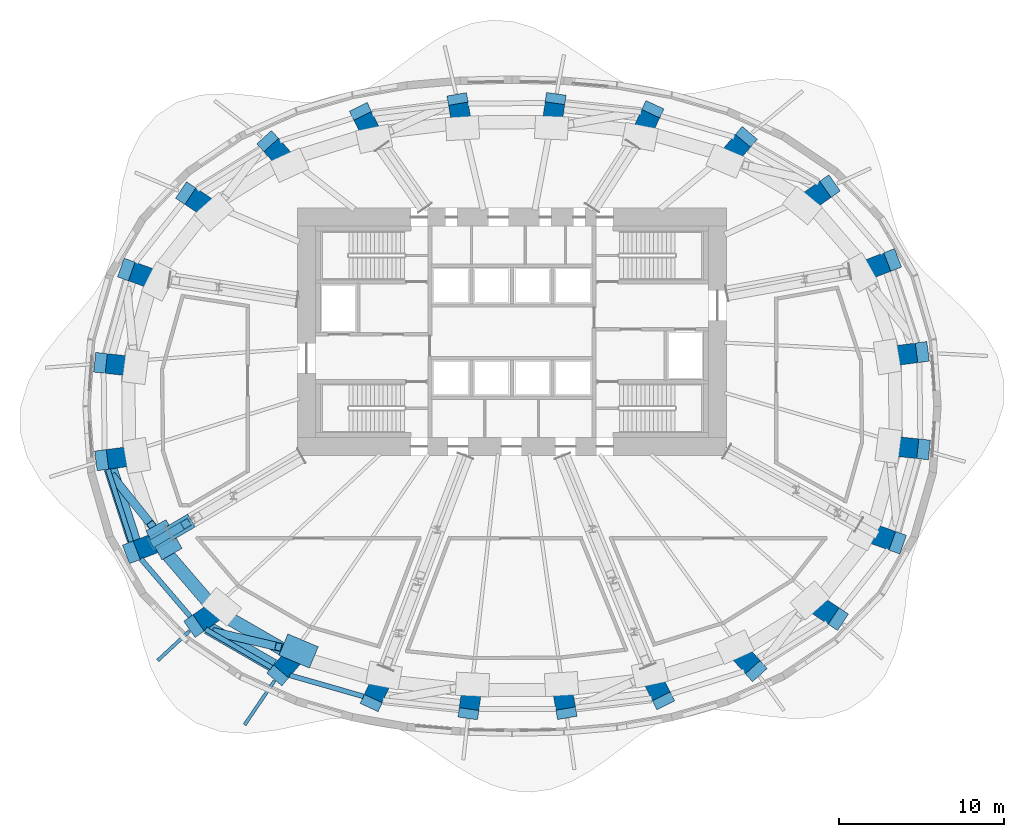
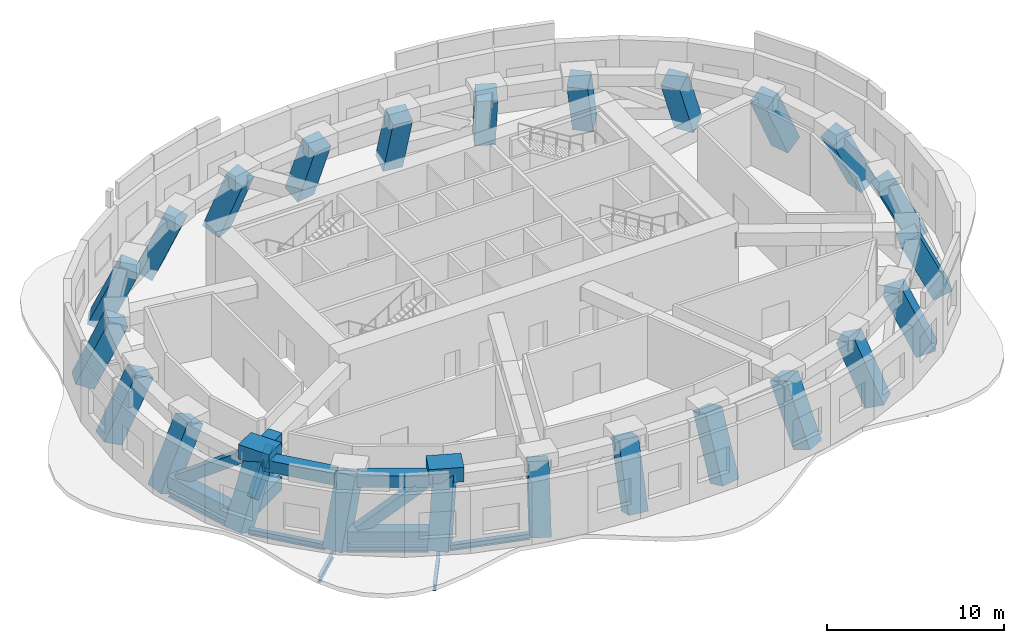
# One storey, part 1 of 11: 24 columns, 9 members, 8 beams.
"""IFC4 building model written with IfcOpenShell, lengths in metres."""

from ifc_helpers import new_model, si_unit, direction, frame, origin, origin_2d, place, context, subcontext, project, spatial, rectangle, hollow_rectangle, i_section, extrude, material, material_profile, profile_set, type_object, element, save


model = new_model("IFC4")

# Units and contexts
model_context = context("Model", 3, precision=1e-05, world=origin(), true_north=direction((0.0, 1.0)))
body_context = subcontext(model_context, "Body", "Model", "MODEL_VIEW")
ifc_project = project(units=[si_unit("LENGTHUNIT", "METRE"), si_unit("AREAUNIT", "SQUARE_METRE"), si_unit("VOLUMEUNIT", "CUBIC_METRE"), si_unit("PLANEANGLEUNIT", "RADIAN"), si_unit("MASSUNIT", "GRAM", prefix="KILO")], contexts=[model_context])

# Site, building, storey
site_placement = place(None, origin())
site = spatial("IfcSite", under=ifc_project, at=site_placement, CompositionType="ELEMENT")
building_placement = place(site_placement, origin())
building = spatial("IfcBuilding", under=site, at=building_placement, Name="Rubra Terraces Tower", CompositionType="ELEMENT")
storey_placement = place(building_placement, frame((0.0, 0.0, 121.199951171875)))
storey = spatial("IfcBuildingStorey", under=building, at=storey_placement, Name="L29", CompositionType="ELEMENT", Elevation=121.199951171875)

# Columns
ifc_material_1 = material(Name="Concrete C60", Category="concrete")
ifc_material_profile_1 = material_profile(ifc_material_1, rectangle(XDim=1.199951171875, YDim=1.199951171875, at=origin_2d()), Name="RC 1200x1200")
ifc_profile_set_1 = profile_set([ifc_material_profile_1], Name="Concrete C60")
column_type = type_object("IfcColumnType", Name="RING COLUMN RC 1200x1200 C60", PredefinedType="COLUMN", material=ifc_profile_set_1)
column_1_placement = place(storey_placement, frame((24.6689453125, 3.248046875, -0.535888671875), z_axis=(-0.428524757066, -0.056498658987, 0.90176185), x_axis=(0.130713362485, -0.991420201967, 0.0)))
element("IfcColumn", 1, at=column_1_placement, inside=storey, type_object=column_type, Name="column-L29-ring-01", PredefinedType="COLUMN", context=body_context, shape_type="SweptSolid", body=[
    extrude(rectangle(XDim=1.199951171875, YDim=1.199951171875, at=origin_2d()), origin(), (0.0, 0.0, 1.0), 4.515625),
])
column_2_placement = place(storey_placement, frame((22.87890625, 8.787109375, -0.537841796875), z_axis=(-0.398723010129, -0.154583676523, 0.903949029617), x_axis=(0.361480683506, -0.932379598367, 0.0)))
element("IfcColumn", 2, at=column_2_placement, inside=storey, type_object=column_type, Name="column-L29-ring-02", PredefinedType="COLUMN", context=body_context, shape_type="SweptSolid", body=[
    extrude(rectangle(XDim=1.199951171875, YDim=1.199951171875, at=origin_2d()), origin(), (0.0, 0.0, 1.0), 4.509033203125),
])
column_3_placement = place(storey_placement, frame((19.092041015625, 13.208984375, -0.549072265625), z_axis=(-0.335632832072, -0.235491775004, 0.912082356995), x_axis=(0.574360318683, -0.818602604639, 0.0)))
element("IfcColumn", 3, at=column_3_placement, inside=storey, type_object=column_type, Name="column-L29-ring-03", PredefinedType="COLUMN", context=body_context, shape_type="SweptSolid", body=[
    extrude(rectangle(XDim=1.199951171875, YDim=1.199951171875, at=origin_2d()), origin(), (0.0, 0.0, 1.0), 4.4931640625),
])
column_4_placement = place(storey_placement, frame((14.0419921875, 16.135986328125, -0.56494140625), z_axis=(-0.249322923068, -0.291577344451, 0.923482935541), x_axis=(0.760029513811, -0.649888558243, 0.0)))
element("IfcColumn", 4, at=column_4_placement, inside=storey, type_object=column_type, Name="column-L29-ring-04", PredefinedType="COLUMN", context=body_context, shape_type="SweptSolid", body=[
    extrude(rectangle(XDim=1.199951171875, YDim=1.199951171875, at=origin_2d()), origin(), (0.0, 0.0, 1.0), 4.47216796875),
])
column_5_placement = place(storey_placement, frame((8.422119140625, 17.7490234375, -0.5810546875), z_axis=(-0.15062528585, -0.323660808846, 0.934106901848), x_axis=(0.906629641713, -0.421927354845, 0.0)))
element("IfcColumn", 5, at=column_5_placement, inside=storey, type_object=column_type, Name="column-L29-ring-05", PredefinedType="COLUMN", context=body_context, shape_type="SweptSolid", body=[
    extrude(rectangle(XDim=1.199951171875, YDim=1.199951171875, at=origin_2d()), origin(), (0.0, 0.0, 1.0), 4.455810546875),
])
column_6_placement = place(storey_placement, frame((2.60205078125, 18.35791015625, -0.591064453125), z_axis=(-0.047218787355, -0.33640640712, 0.940532357428), x_axis=(0.990292415941, -0.138999751544, 0.0)))
element("IfcColumn", 6, at=column_6_placement, inside=storey, type_object=column_type, Name="column-L29-ring-06", PredefinedType="COLUMN", context=body_context, shape_type="SweptSolid", body=[
    extrude(rectangle(XDim=1.199951171875, YDim=1.199951171875, at=origin_2d()), origin(), (0.0, 0.0, 1.0), 4.446533203125),
])
column_7_placement = place(storey_placement, frame((-3.25390625, 18.330078125, -0.591064453125), z_axis=(0.05729856294, -0.335888127577, 0.940157455131), x_axis=(0.985759878424, 0.168159038084, 0.0)))
element("IfcColumn", 7, at=column_7_placement, inside=storey, type_object=column_type, Name="column-L29-ring-07", PredefinedType="COLUMN", context=body_context, shape_type="SweptSolid", body=[
    extrude(rectangle(XDim=1.199951171875, YDim=1.199951171875, at=origin_2d()), origin(), (0.0, 0.0, 1.0), 4.4482421875),
])
column_8_placement = place(storey_placement, frame((-9.06298828125, 17.625, -0.578857421875), z_axis=(0.160699820662, -0.321618802348, 0.933132848857), x_axis=(0.89454907246, 0.446969749493, 0.0)))
element("IfcColumn", 8, at=column_8_placement, inside=storey, type_object=column_type, Name="column-L29-ring-08", PredefinedType="COLUMN", context=body_context, shape_type="SweptSolid", body=[
    extrude(rectangle(XDim=1.199951171875, YDim=1.199951171875, at=origin_2d()), origin(), (0.0, 0.0, 1.0), 4.455810546875),
])
column_9_placement = place(storey_placement, frame((-14.64306640625, 15.881103515625, -0.56298828125), z_axis=(0.258415459479, -0.28728595115, 0.922327616725), x_axis=(0.743476713513, 0.66876182342, 0.0)))
element("IfcColumn", 9, at=column_9_placement, inside=storey, type_object=column_type, Name="column-L29-ring-09", PredefinedType="COLUMN", context=body_context, shape_type="SweptSolid", body=[
    extrude(rectangle(XDim=1.199951171875, YDim=1.199951171875, at=origin_2d()), origin(), (0.0, 0.0, 1.0), 4.473388671875),
])
column_10_placement = place(storey_placement, frame((-19.593017578125, 12.7900390625, -0.5478515625), z_axis=(0.343008470869, -0.228473185077, 0.911123039229), x_axis=(0.554365652735, 0.832273226211, 0.0)))
element("IfcColumn", 10, at=column_10_placement, inside=storey, type_object=column_type, Name="column-L29-ring-10", PredefinedType="COLUMN", context=body_context, shape_type="SweptSolid", body=[
    extrude(rectangle(XDim=1.199951171875, YDim=1.199951171875, at=origin_2d()), origin(), (0.0, 0.0, 1.0), 4.49560546875),
])
column_11_placement = place(storey_placement, frame((-23.18505859375, 8.2099609375, -0.537841796875), z_axis=(0.403040867298, -0.145423769361, 0.903554086147), x_axis=(0.339399243932, 0.940642415171, 0.0)))
element("IfcColumn", 11, at=column_11_placement, inside=storey, type_object=column_type, Name="column-L29-ring-11", PredefinedType="COLUMN", context=body_context, shape_type="SweptSolid", body=[
    extrude(rectangle(XDim=1.199951171875, YDim=1.199951171875, at=origin_2d()), origin(), (0.0, 0.0, 1.0), 4.510986328125),
])
column_12_placement = place(storey_placement, frame((-24.742919921875, 2.59912109375, -0.535888671875), z_axis=(0.429803287956, -0.046548507035, 0.901721891802), x_axis=(0.107672267565, 0.994186442674, 0.0)))
element("IfcColumn", 12, at=column_12_placement, inside=storey, type_object=column_type, Name="column-L29-ring-12", PredefinedType="COLUMN", context=body_context, shape_type="SweptSolid", body=[
    extrude(rectangle(XDim=1.199951171875, YDim=1.199951171875, at=origin_2d()), origin(), (0.0, 0.0, 1.0), 4.515869140625),
])
column_13_placement = place(storey_placement, frame((-24.6689453125, -3.248046875, -0.535888671875), z_axis=(0.428524757066, 0.056498658987, 0.90176185), x_axis=(-0.130713362485, 0.991420201967, 0.0)))
element("IfcColumn", 13, at=column_13_placement, inside=storey, type_object=column_type, Name="column-L29-ring-13", PredefinedType="COLUMN", context=body_context, shape_type="SweptSolid", body=[
    extrude(rectangle(XDim=1.199951171875, YDim=1.199951171875, at=origin_2d()), origin(), (0.0, 0.0, 1.0), 4.515625),
])
column_14_placement = place(storey_placement, frame((-22.87890625, -8.787109375, -0.537841796875), z_axis=(0.398723010129, 0.154583676523, 0.903949029617), x_axis=(-0.361480683506, 0.932379598367, 0.0)))
element("IfcColumn", 14, at=column_14_placement, inside=storey, type_object=column_type, Name="column-L29-ring-14", PredefinedType="COLUMN", context=body_context, shape_type="SweptSolid", body=[
    extrude(rectangle(XDim=1.199951171875, YDim=1.199951171875, at=origin_2d()), origin(), (0.0, 0.0, 1.0), 4.509033203125),
])
column_15_placement = place(storey_placement, frame((-19.092041015625, -13.208984375, -0.549072265625), z_axis=(0.335632832072, 0.235491775004, 0.912082356995), x_axis=(-0.574360318683, 0.818602604639, 0.0)))
element("IfcColumn", 15, at=column_15_placement, inside=storey, type_object=column_type, Name="column-L29-ring-15", PredefinedType="COLUMN", context=body_context, shape_type="SweptSolid", body=[
    extrude(rectangle(XDim=1.199951171875, YDim=1.199951171875, at=origin_2d()), origin(), (0.0, 0.0, 1.0), 4.4931640625),
])
column_16_placement = place(storey_placement, frame((-14.0419921875, -16.135986328125, -0.56494140625), z_axis=(0.249322923068, 0.291577344451, 0.923482935541), x_axis=(-0.760029513811, 0.649888558243, 0.0)))
element("IfcColumn", 16, at=column_16_placement, inside=storey, type_object=column_type, Name="column-L29-ring-16", PredefinedType="COLUMN", context=body_context, shape_type="SweptSolid", body=[
    extrude(rectangle(XDim=1.199951171875, YDim=1.199951171875, at=origin_2d()), origin(), (0.0, 0.0, 1.0), 4.47216796875),
])
column_17_placement = place(storey_placement, frame((-8.422119140625, -17.7490234375, -0.5810546875), z_axis=(0.15062528585, 0.323660808846, 0.934106901848), x_axis=(-0.906629641713, 0.421927354845, 0.0)))
element("IfcColumn", 17, at=column_17_placement, inside=storey, type_object=column_type, Name="column-L29-ring-17", PredefinedType="COLUMN", context=body_context, shape_type="SweptSolid", body=[
    extrude(rectangle(XDim=1.199951171875, YDim=1.199951171875, at=origin_2d()), origin(), (0.0, 0.0, 1.0), 4.455810546875),
])
column_18_placement = place(storey_placement, frame((-2.60205078125, -18.35791015625, -0.591064453125), z_axis=(0.047218787355, 0.33640640712, 0.940532357428), x_axis=(-0.990292415941, 0.138999751544, 0.0)))
element("IfcColumn", 18, at=column_18_placement, inside=storey, type_object=column_type, Name="column-L29-ring-18", PredefinedType="COLUMN", context=body_context, shape_type="SweptSolid", body=[
    extrude(rectangle(XDim=1.199951171875, YDim=1.199951171875, at=origin_2d()), origin(), (0.0, 0.0, 1.0), 4.446533203125),
])
column_19_placement = place(storey_placement, frame((3.25390625, -18.330078125, -0.591064453125), z_axis=(-0.05729856294, 0.335888127577, 0.940157455131), x_axis=(-0.985759878424, -0.168159038084, 0.0)))
element("IfcColumn", 19, at=column_19_placement, inside=storey, type_object=column_type, Name="column-L29-ring-19", PredefinedType="COLUMN", context=body_context, shape_type="SweptSolid", body=[
    extrude(rectangle(XDim=1.199951171875, YDim=1.199951171875, at=origin_2d()), origin(), (0.0, 0.0, 1.0), 4.4482421875),
])
column_20_placement = place(storey_placement, frame((9.06298828125, -17.625, -0.578857421875), z_axis=(-0.160699820662, 0.321618802348, 0.933132848857), x_axis=(-0.89454907246, -0.446969749493, 0.0)))
element("IfcColumn", 20, at=column_20_placement, inside=storey, type_object=column_type, Name="column-L29-ring-20", PredefinedType="COLUMN", context=body_context, shape_type="SweptSolid", body=[
    extrude(rectangle(XDim=1.199951171875, YDim=1.199951171875, at=origin_2d()), origin(), (0.0, 0.0, 1.0), 4.455810546875),
])
column_21_placement = place(storey_placement, frame((14.64306640625, -15.881103515625, -0.56298828125), z_axis=(-0.258415459479, 0.28728595115, 0.922327616725), x_axis=(-0.743476713513, -0.66876182342, 0.0)))
element("IfcColumn", 21, at=column_21_placement, inside=storey, type_object=column_type, Name="column-L29-ring-21", PredefinedType="COLUMN", context=body_context, shape_type="SweptSolid", body=[
    extrude(rectangle(XDim=1.199951171875, YDim=1.199951171875, at=origin_2d()), origin(), (0.0, 0.0, 1.0), 4.473388671875),
])
column_22_placement = place(storey_placement, frame((19.593017578125, -12.7900390625, -0.5478515625), z_axis=(-0.343008470869, 0.228473185077, 0.911123039229), x_axis=(-0.554365652735, -0.832273226211, 0.0)))
element("IfcColumn", 22, at=column_22_placement, inside=storey, type_object=column_type, Name="column-L29-ring-22", PredefinedType="COLUMN", context=body_context, shape_type="SweptSolid", body=[
    extrude(rectangle(XDim=1.199951171875, YDim=1.199951171875, at=origin_2d()), origin(), (0.0, 0.0, 1.0), 4.49560546875),
])
column_23_placement = place(storey_placement, frame((23.18505859375, -8.2099609375, -0.537841796875), z_axis=(-0.403040867298, 0.145423769361, 0.903554086147), x_axis=(-0.339399243932, -0.940642415171, 0.0)))
element("IfcColumn", 23, at=column_23_placement, inside=storey, type_object=column_type, Name="column-L29-ring-23", PredefinedType="COLUMN", context=body_context, shape_type="SweptSolid", body=[
    extrude(rectangle(XDim=1.199951171875, YDim=1.199951171875, at=origin_2d()), origin(), (0.0, 0.0, 1.0), 4.510986328125),
])
column_24_placement = place(storey_placement, frame((24.742919921875, -2.59912109375, -0.535888671875), z_axis=(-0.429803287956, 0.046548507035, 0.901721891802), x_axis=(-0.107672267565, -0.994186442674, 0.0)))
element("IfcColumn", 24, at=column_24_placement, inside=storey, type_object=column_type, Name="column-L29-ring-24", PredefinedType="COLUMN", context=body_context, shape_type="SweptSolid", body=[
    extrude(rectangle(XDim=1.199951171875, YDim=1.199951171875, at=origin_2d()), origin(), (0.0, 0.0, 1.0), 4.515869140625),
])

# Members
ifc_material_2 = material(Name="Steel Q355B", Category="steel")
ifc_material_profile_2 = material_profile(ifc_material_2, hollow_rectangle(XDim=0.800048828125, YDim=0.800048828125, WallThickness=0.0400390625, at=origin_2d()), Name="BOX 800x800x40")
ifc_profile_set_2 = profile_set([ifc_material_profile_2], Name="Steel Q355B")
member_type_1 = type_object("IfcMemberType", Name="BELT TRUSS BOTTOM CHORD R3 BOX 800x800x40", PredefinedType="CHORD", material=ifc_profile_set_2)
member_1_placement = place(storey_placement, frame((-24.31201171875, -3.7958984375, 0.400146484375), z_axis=(0.307418601627, -0.951574381419, 0.0), x_axis=(0.951574381419, 0.307418601627, 0.0)))
element("IfcMember", 25, at=member_1_placement, inside=storey, type_object=member_type_1, Name="BELT TRUSS CHORD R3", PredefinedType="CHORD", context=body_context, shape_type="SweptSolid", body=[
    extrude(hollow_rectangle(XDim=0.800048828125, YDim=0.800048828125, WallThickness=0.0400390625, at=origin_2d()), origin(), (0.0, 0.0, 1.0), 4.579833984375),
])
member_2_placement = place(storey_placement, frame((-18.43896484375, -13.416015625, 0.400146484375), z_axis=(0.865381424638, -0.501113749454, 0.0), x_axis=(0.501113749454, 0.865381424638, 0.0)))
element("IfcMember", 26, at=member_2_placement, inside=storey, type_object=member_type_1, Name="BELT TRUSS CHORD R3", PredefinedType="CHORD", context=body_context, shape_type="SweptSolid", body=[
    extrude(hollow_rectangle(XDim=0.800048828125, YDim=0.800048828125, WallThickness=0.0400390625, at=origin_2d()), origin(), (0.0, 0.0, 1.0), 4.595703125),
])
ifc_material_profile_3 = material_profile(ifc_material_2, hollow_rectangle(XDim=0.5, YDim=0.699951171875, WallThickness=0.030029296875, at=origin_2d()), Name="BOX 700x500x30")
ifc_profile_set_3 = profile_set([ifc_material_profile_3], Name="Steel Q355B")
member_type_2 = type_object("IfcMemberType", Name="BELT TRUSS DIAGONAL R3 BOX 700x500x30", PredefinedType="BRACE", material=ifc_profile_set_3)
member_3_placement = place(storey_placement, frame((-24.14306640625, -4.319091796875, 0.699951171875), z_axis=(0.519974770768, -0.649678822342, 0.554566195837), x_axis=(0.780732959593, 0.624864822025, 0.0)))
element("IfcMember", 27, at=member_3_placement, inside=storey, type_object=member_type_2, Name="BELT TRUSS DIAGONAL R3", PredefinedType="BRACE", context=body_context, shape_type="SweptSolid", body=[
    extrude(hollow_rectangle(XDim=0.5, YDim=0.699951171875, WallThickness=0.030029296875, at=origin_2d()), origin(), (0.0, 0.0, 1.0), 4.42529296875),
])
member_4_placement = place(storey_placement, frame((-17.9619140625, -13.69189453125, 0.699951171875), z_axis=(0.825105455447, -0.192084127168, 0.531323513014), x_axis=(0.2267364904, 0.973956140656, 0.0)))
element("IfcMember", 28, at=member_4_placement, inside=storey, type_object=member_type_2, Name="BELT TRUSS DIAGONAL R3", PredefinedType="BRACE", context=body_context, shape_type="SweptSolid", body=[
    extrude(hollow_rectangle(XDim=0.5, YDim=0.699951171875, WallThickness=0.030029296875, at=origin_2d()), origin(), (0.0, 0.0, 1.0), 4.618896484375),
])
ifc_material_profile_4 = material_profile(ifc_material_2, hollow_rectangle(XDim=0.800048828125, YDim=0.800048828125, WallThickness=0.0400390625, at=origin_2d()), Name="BOX 800x800x40")
ifc_profile_set_4 = profile_set([ifc_material_profile_4], Name="Steel Q355B")
member_type_3 = type_object("IfcMemberType", Name="BELT TRUSS TOP CHORD R3 BOX 800x800x40", PredefinedType="CHORD", material=ifc_profile_set_4)
member_5_placement = place(storey_placement, frame((-21.10791015625, -8.70703125, 3.4541015625), z_axis=(0.652039268828, -0.758185196312, 0.0), x_axis=(0.758185196312, 0.652039268828, 0.0)))
element("IfcMember", 29, at=member_5_placement, inside=storey, type_object=member_type_3, Name="BELT TRUSS CHORD R3", PredefinedType="CHORD", context=body_context, shape_type="SweptSolid", body=[
    extrude(hollow_rectangle(XDim=0.800048828125, YDim=0.800048828125, WallThickness=0.0400390625, at=origin_2d()), origin(), (0.0, 0.0, 1.0), 4.2666015625),
])
member_6_placement = place(storey_placement, frame((-17.4150390625, -12.697021484375, 3.4541015625), z_axis=(0.866373509188, -0.49939657846, 0.0), x_axis=(0.49939657846, 0.866373509188, 0.0)))
element("IfcMember", 30, at=member_6_placement, inside=storey, type_object=member_type_3, Name="BELT TRUSS CHORD R3", PredefinedType="CHORD", context=body_context, shape_type="SweptSolid", body=[
    extrude(hollow_rectangle(XDim=0.800048828125, YDim=0.800048828125, WallThickness=0.0400390625, at=origin_2d()), origin(), (0.0, 0.0, 1.0), 4.281005859375),
])

# Beams
ifc_material_profile_5 = material_profile(ifc_material_2, i_section(OverallWidth=0.199951171875, OverallDepth=0.39990234375, WebThickness=0.008056640625, FlangeThickness=0.012939453125, at=origin_2d()), Name="HN 400x200x8x13")
ifc_profile_set_5 = profile_set([ifc_material_profile_5], Name="Steel Q355B")
beam_type_1 = type_object("IfcBeamType", Name="CANTILEVER BEAM HN 400x200x8x13", PredefinedType="BEAM", material=ifc_profile_set_5)
beam_1_placement = place(storey_placement, frame((-19.535888671875, -13.6201171875, -0.5), z_axis=(-0.73298930128, -0.680240166566, 0.0), x_axis=(0.680240166566, -0.73298930128, 0.0)))
element("IfcBeam", 31, at=beam_1_placement, inside=storey, type_object=beam_type_1, Name="beam-L29-cant-15", PredefinedType="BEAM", context=body_context, shape_type="SweptSolid", body=[
    extrude(i_section(OverallWidth=0.199951171875, OverallDepth=0.39990234375, WebThickness=0.008056640625, FlangeThickness=0.012939453125, at=origin_2d()), origin(), (0.0, 0.0, 1.0), 2.61962890625),
])
ifc_material_profile_6 = material_profile(ifc_material_2, i_section(OverallWidth=0.198974609375, OverallDepth=0.446044921875, WebThickness=0.008056640625, FlangeThickness=0.011962890625, at=origin_2d()), Name="HN 446x199x8x12")
ifc_profile_set_6 = profile_set([ifc_material_profile_6], Name="Steel Q355B")
beam_type_2 = type_object("IfcBeamType", Name="CANTILEVER BEAM HN 446x199x8x12", PredefinedType="BEAM", material=ifc_profile_set_6)
beam_2_placement = place(storey_placement, frame((-14.385986328125, -16.64208984375, -0.52294921875), z_axis=(-0.562581591021, -0.826741769505, 0.0), x_axis=(0.826741769505, -0.562581591021, 0.0)))
element("IfcBeam", 32, at=beam_2_placement, inside=storey, type_object=beam_type_2, Name="beam-L29-cant-16", PredefinedType="BEAM", context=body_context, shape_type="SweptSolid", body=[
    extrude(i_section(OverallWidth=0.198974609375, OverallDepth=0.446044921875, WebThickness=0.008056640625, FlangeThickness=0.011962890625, at=origin_2d()), origin(), (0.0, 0.0, 1.0), 3.220947265625),
])

# Members
ifc_material_profile_7 = material_profile(ifc_material_2, hollow_rectangle(XDim=0.89990234375, YDim=0.89990234375, WallThickness=0.044921875, at=origin_2d()), Name="BOX 900x900x45")
ifc_profile_set_7 = profile_set([ifc_material_profile_7], Name="Steel Q355B")
member_type_4 = type_object("IfcMemberType", Name="OUTRIGGER BOTTOM CHORD R3 BOX 900x900x45", PredefinedType="CHORD", material=ifc_profile_set_7)
member_7_placement = place(storey_placement, frame((-19.4169921875, -6.929931640625, 0.449951171875), z_axis=(-0.861848989519, -0.507164982294, 0.0), x_axis=(0.507164982294, -0.861848989519, 0.0)))
element("IfcMember", 33, at=member_7_placement, inside=storey, type_object=member_type_4, Name="OUTRIGGER TRUSS CHORD R3", PredefinedType="CHORD", context=body_context, shape_type="SweptSolid", body=[
    extrude(hollow_rectangle(XDim=0.89990234375, YDim=0.89990234375, WallThickness=0.044921875, at=origin_2d()), origin(), (0.0, 0.0, 1.0), 2.946044921875),
])
ifc_material_profile_8 = material_profile(ifc_material_2, hollow_rectangle(XDim=0.5, YDim=0.699951171875, WallThickness=0.030029296875, at=origin_2d()), Name="BOX 700x500x30")
ifc_profile_set_8 = profile_set([ifc_material_profile_8], Name="Steel Q355B")
member_type_5 = type_object("IfcMemberType", Name="OUTRIGGER DIAGONAL R3 FALLING BOX 700x500x30", PredefinedType="BRACE", material=ifc_profile_set_8)
member_8_placement = place(storey_placement, frame((-19.760986328125, -7.132080078125, 3.10009765625), z_axis=(-0.588037717953, -0.346087123525, -0.731050849938), x_axis=(0.507218914685, -0.861817250109, 0.0)))
element("IfcMember", 34, at=member_8_placement, inside=storey, type_object=member_type_5, Name="OUTRIGGER TRUSS DIAGONAL R3", PredefinedType="BRACE", context=body_context, shape_type="SweptSolid", body=[
    extrude(hollow_rectangle(XDim=0.5, YDim=0.699951171875, WallThickness=0.030029296875, at=origin_2d()), origin(), (0.0, 0.0, 1.0), 3.146240234375),
])
ifc_material_profile_9 = material_profile(ifc_material_2, hollow_rectangle(XDim=0.89990234375, YDim=0.89990234375, WallThickness=0.044921875, at=origin_2d()), Name="BOX 900x900x45")
ifc_profile_set_9 = profile_set([ifc_material_profile_9], Name="Steel Q355B")
member_type_6 = type_object("IfcMemberType", Name="OUTRIGGER TOP CHORD R3 BOX 900x900x45", PredefinedType="CHORD", material=ifc_profile_set_9)
member_9_placement = place(storey_placement, frame((-19.4169921875, -6.929931640625, 3.449951171875), z_axis=(-0.861867735647, -0.507133124782, 0.0), x_axis=(0.507133124782, -0.861867735647, 0.0)))
element("IfcMember", 35, at=member_9_placement, inside=storey, type_object=member_type_6, Name="OUTRIGGER TRUSS CHORD R3", PredefinedType="CHORD", context=body_context, shape_type="SweptSolid", body=[
    extrude(hollow_rectangle(XDim=0.89990234375, YDim=0.89990234375, WallThickness=0.044921875, at=origin_2d()), origin(), (0.0, 0.0, 1.0), 1.5107421875),
])

# Beams
ifc_material_profile_10 = material_profile(ifc_material_2, i_section(OverallWidth=0.300048828125, OverallDepth=0.389892578125, WebThickness=0.010009765625, FlangeThickness=0.01611328125, at=origin_2d()), Name="HM 390x300x10x16")
ifc_profile_set_10 = profile_set([ifc_material_profile_10], Name="Steel Q355B")
beam_type_3 = type_object("IfcBeamType", Name="SPANDREL BEAM HM 390x300x10x16", PredefinedType="SPANDREL", material=ifc_profile_set_10)
beam_3_placement = place(storey_placement, frame((-24.48193359375, -3.824951171875, -0.494873046875), z_axis=(0.307414966872, -0.951575555667, 0.0), x_axis=(0.951575555667, 0.307414966872, 0.0)))
element("IfcBeam", 36, at=beam_3_placement, inside=storey, type_object=beam_type_3, Name="beam-L29-spandrel-13", PredefinedType="SPANDREL", context=body_context, shape_type="SweptSolid", body=[
    extrude(i_section(OverallWidth=0.300048828125, OverallDepth=0.389892578125, WebThickness=0.010009765625, FlangeThickness=0.01611328125, at=origin_2d()), origin(), (0.0, 0.0, 1.0), 4.60302734375),
])
beam_4_placement = place(storey_placement, frame((-22.48095703125, -9.251953125, -0.494873046875), z_axis=(0.650428637413, -0.759567368726, 0.0), x_axis=(0.759567368726, 0.650428637413, 0.0)))
element("IfcBeam", 37, at=beam_4_placement, inside=storey, type_object=beam_type_3, Name="beam-L29-spandrel-14", PredefinedType="SPANDREL", context=body_context, shape_type="SweptSolid", body=[
    extrude(i_section(OverallWidth=0.300048828125, OverallDepth=0.389892578125, WebThickness=0.010009765625, FlangeThickness=0.01611328125, at=origin_2d()), origin(), (0.0, 0.0, 1.0), 4.6015625),
])
beam_5_placement = place(storey_placement, frame((-18.56494140625, -13.513916015625, -0.494873046875), z_axis=(0.865116425734, -0.501571101565, 0.0), x_axis=(0.501571101565, 0.865116425734, 0.0)))
element("IfcBeam", 38, at=beam_5_placement, inside=storey, type_object=beam_type_3, Name="beam-L29-spandrel-15", PredefinedType="SPANDREL", context=body_context, shape_type="SweptSolid", body=[
    extrude(i_section(OverallWidth=0.300048828125, OverallDepth=0.389892578125, WebThickness=0.010009765625, FlangeThickness=0.01611328125, at=origin_2d()), origin(), (0.0, 0.0, 1.0), 4.62353515625),
])
beam_6_placement = place(storey_placement, frame((-13.4609375, -16.302978515625, -0.494873046875), z_axis=(0.961195652649, -0.275867572085, 0.0), x_axis=(0.275867572085, 0.961195652649, 0.0)))
element("IfcBeam", 39, at=beam_6_placement, inside=storey, type_object=beam_type_3, Name="beam-L29-spandrel-16", PredefinedType="SPANDREL", context=body_context, shape_type="SweptSolid", body=[
    extrude(i_section(OverallWidth=0.300048828125, OverallDepth=0.389892578125, WebThickness=0.010009765625, FlangeThickness=0.01611328125, at=origin_2d()), origin(), (0.0, 0.0, 1.0), 4.639892578125),
])
ifc_material_profile_11 = material_profile(ifc_material_1, rectangle(XDim=1.39990234375, YDim=1.0, at=origin_2d()), Name="RC 1400x1000")
ifc_profile_set_11 = profile_set([ifc_material_profile_11], Name="Concrete C60")
beam_type_4 = type_object("IfcBeamType", Name="TRANSFER NODE RC 1400x1000 C60", PredefinedType="BEAM", material=ifc_profile_set_11)
beam_7_placement = place(storey_placement, frame((-21.571044921875, -7.218017578125, 3.800048828125), z_axis=(0.489896142485, -0.87178080363, 0.0), x_axis=(0.87178080363, 0.489896142485, 0.0)))
element("IfcBeam", 40, at=beam_7_placement, inside=storey, type_object=beam_type_4, Name="node-L29-hi-14", PredefinedType="BEAM", context=body_context, shape_type="SweptSolid", body=[
    extrude(rectangle(XDim=1.39990234375, YDim=1.0, at=origin_2d()), origin(), (0.0, 0.0, 1.0), 2.00048828125),
])
beam_8_placement = place(storey_placement, frame((-13.847900390625, -14.443115234375, 3.800048828125), z_axis=(0.921216496618, -0.389050339107, 0.0), x_axis=(0.389050339107, 0.921216496618, 0.0)))
element("IfcBeam", 41, at=beam_8_placement, inside=storey, type_object=beam_type_4, Name="node-L29-hi-16", PredefinedType="BEAM", context=body_context, shape_type="SweptSolid", body=[
    extrude(rectangle(XDim=1.39990234375, YDim=1.0, at=origin_2d()), origin(), (0.0, 0.0, 1.0), 1.999267578125),
])

save(model, "model.ifc")
